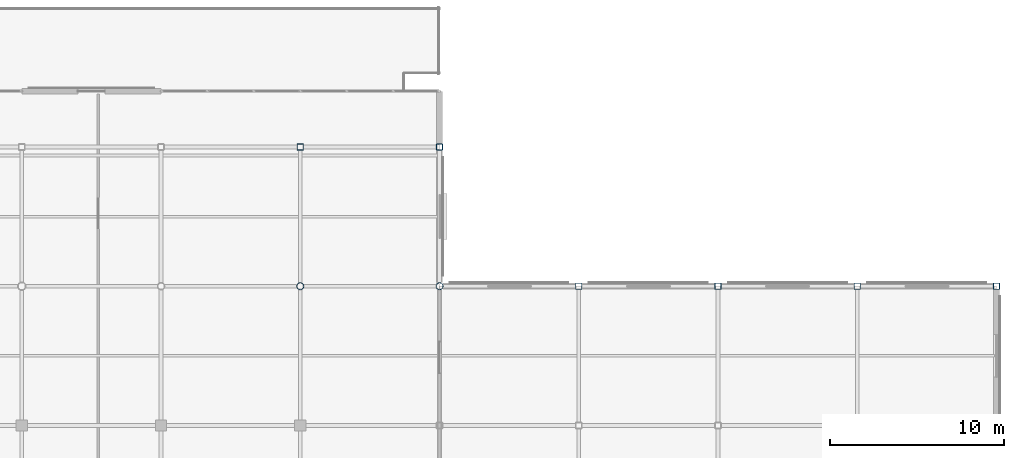
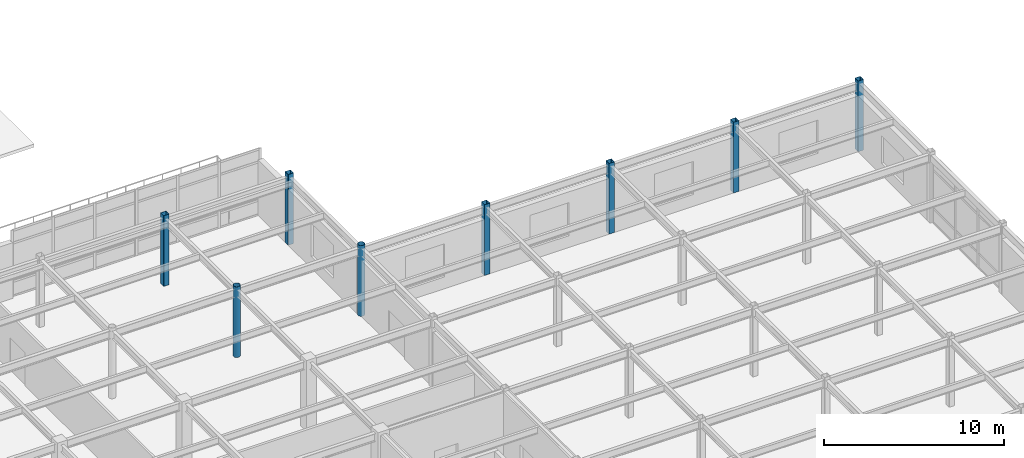
# One storey, part 19 of 117: 8 columns.
"""IFC4 building model written with IfcOpenShell, lengths in metres."""

from ifc_helpers import new_model, si_unit, direction, frame, origin, origin_2d, place, context, subcontext, project, spatial, hollow_rectangle, hollow_circle, extrude, material, material_profile, profile_set, type_object, element, save


model = new_model("IFC4")

# Units and contexts
model_context = context("Model", 3, precision=1e-05, world=origin(), true_north=direction((0.0, 1.0)))
body_context = subcontext(model_context, "Body", "Model", "MODEL_VIEW")
ifc_project = project(units=[si_unit("LENGTHUNIT", "METRE"), si_unit("AREAUNIT", "SQUARE_METRE"), si_unit("VOLUMEUNIT", "CUBIC_METRE"), si_unit("PLANEANGLEUNIT", "RADIAN"), si_unit("MASSUNIT", "GRAM", prefix="KILO")], contexts=[model_context])

# Site, building, storey
site_placement = place(None, origin())
site = spatial("IfcSite", under=ifc_project, at=site_placement, CompositionType="ELEMENT")
building_placement = place(site_placement, origin())
building = spatial("IfcBuilding", under=site, at=building_placement, Name="Solmirada Galleria", CompositionType="ELEMENT")
storey_placement = place(building_placement, frame((0.0, 0.0, 5.60009765625)))
storey = spatial("IfcBuildingStorey", under=building, at=storey_placement, Name="L01", CompositionType="ELEMENT", Elevation=5.60009765625)

# Columns
ifc_material = material(Name="Steel S355 / ASTM A500 Grade C", Category="steel")
ifc_material_profile_1 = material_profile(ifc_material, hollow_circle(Radius=0.202880859375, WallThickness=0.01171875, at=origin_2d()), Name="HSS16.000X0.500")
ifc_profile_set_1 = profile_set([ifc_material_profile_1], Name="Steel S355 / ASTM A500 Grade C")
column_type_1 = type_object("IfcColumnType", Name="COL-CHS16", PredefinedType="COLUMN", material=ifc_profile_set_1)
for number, where, z_axis, x_axis, name in (
    (1, (136.0, 32.0, 0.0), (0.0, 0.0, 1.0), (1.0, 0.0, 0.0), "Structural column L01-1137"),
    (2, (144.0, 32.0, 0.0), (0.0, 0.0, 1.0), (1.0, 0.0, 0.0), "Structural column L01-1227"),
):
    element("IfcColumn", number, at=place(storey_placement, frame(where, z_axis=z_axis, x_axis=x_axis)), inside=storey, type_object=column_type_1, Name=name, PredefinedType="COLUMN", context=body_context, shape_type="SweptSolid", body=[
        extrude(hollow_circle(Radius=0.202880859375, WallThickness=0.01171875, at=origin_2d()), origin(), (0.0, 0.0, 1.0), 4.7998046875),
    ])
ifc_material_profile_2 = material_profile(ifc_material, hollow_rectangle(XDim=0.35595703125, YDim=0.35595703125, WallThickness=0.01171875, InnerFilletRadius=0.01171875, OuterFilletRadius=0.023681640625, at=origin_2d()), Name="HSS14X14X1/2")
ifc_profile_set_2 = profile_set([ifc_material_profile_2], Name="Steel S355 / ASTM A500 Grade C")
column_type_2 = type_object("IfcColumnType", Name="COL-HSS14", PredefinedType="COLUMN", material=ifc_profile_set_2)
for number, where, z_axis, x_axis, name in (
    (3, (136.0, 40.0, 0.0), (0.0, 0.0, 1.0), (1.0, 0.0, 0.0), "Structural column L01-1144"),
    (4, (144.0, 40.0, 0.0), (0.0, 0.0, 1.0), (1.0, 0.0, 0.0), "Structural column L01-1234"),
    (5, (152.0, 32.0, 0.0), (0.0, 0.0, 1.0), (1.0, 0.0, 0.0), "Structural column L01-1309"),
    (6, (160.0, 32.0, 0.0), (0.0, 0.0, 1.0), (1.0, 0.0, 0.0), "Structural column L01-1382"),
    (7, (168.0, 32.0, 0.0), (0.0, 0.0, 1.0), (1.0, 0.0, 0.0), "Structural column L01-1455"),
    (8, (176.0, 32.0, 0.0), (0.0, 0.0, 1.0), (1.0, 0.0, 0.0), "Structural column L01-1528"),
):
    element("IfcColumn", number, at=place(storey_placement, frame(where, z_axis=z_axis, x_axis=x_axis)), inside=storey, type_object=column_type_2, Name=name, PredefinedType="COLUMN", context=body_context, shape_type="SweptSolid", body=[
        extrude(hollow_rectangle(XDim=0.35595703125, YDim=0.35595703125, WallThickness=0.01171875, InnerFilletRadius=0.01171875, OuterFilletRadius=0.023681640625, at=origin_2d()), origin(), (0.0, 0.0, 1.0), 4.7998046875),
    ])

save(model, "model.ifc")
